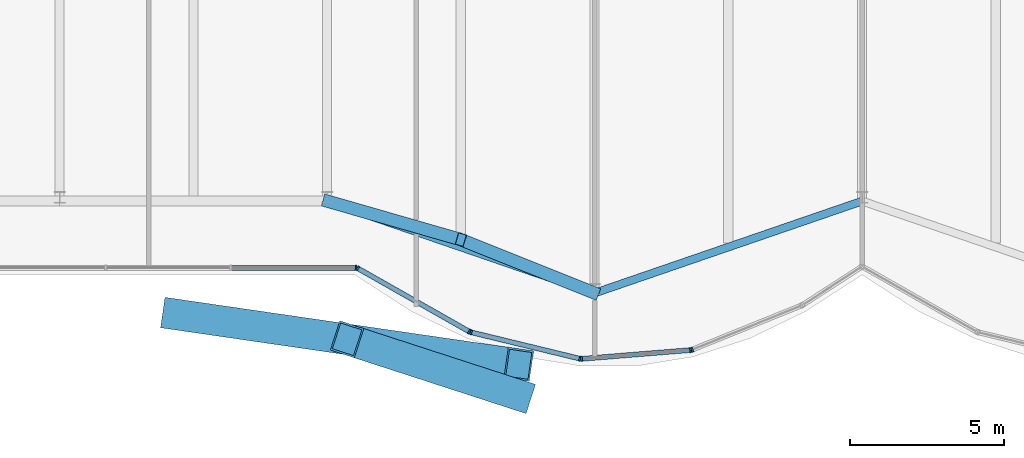
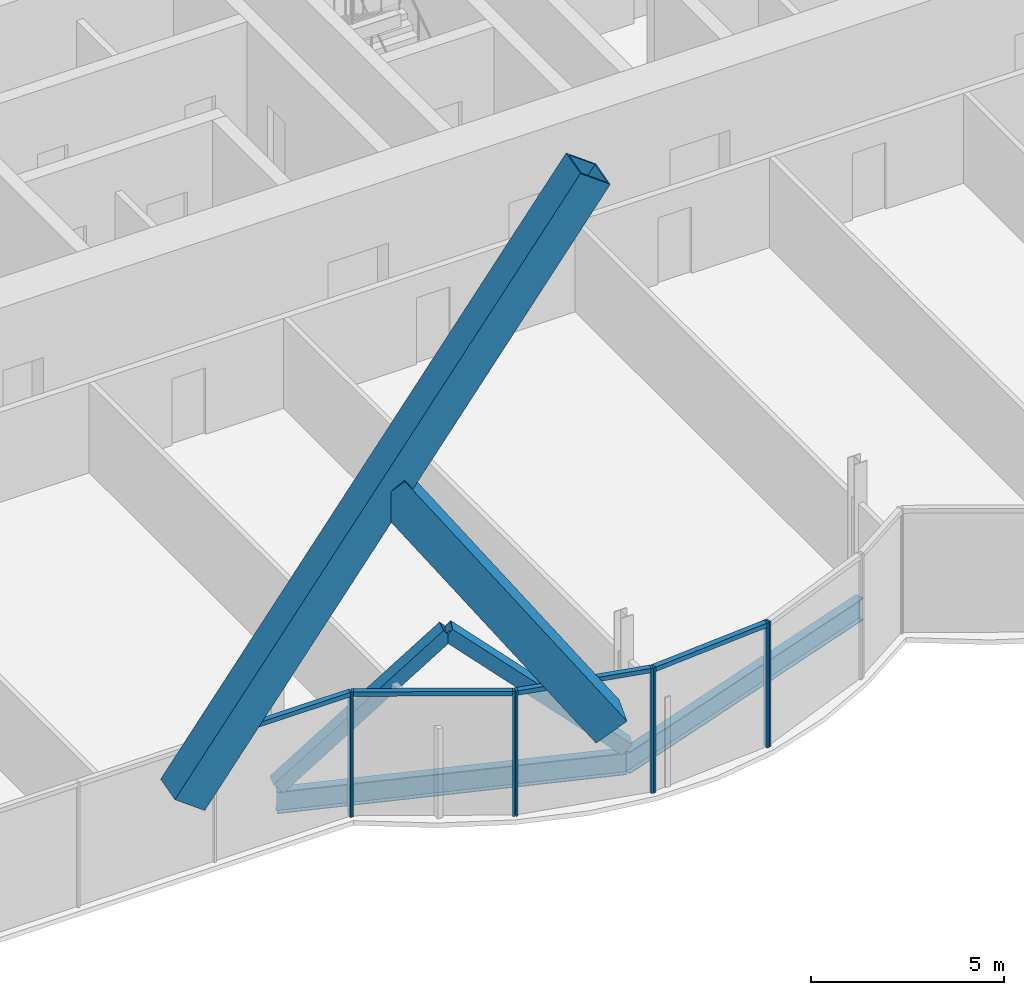
# One storey, part 6 of 22: 16 members, 2 beams, 2 elements without a shape of their own.
"""IFC4 building model written with IfcOpenShell, lengths in metres."""

import ifcopenshell
import ifcopenshell.guid

model = None  # the IFC model being written
_history = None  # IfcOwnerHistory: only IFC2X3 demands one
_inside = {}  # id of a spatial element -> (the spatial element, [elements in it])
_under = {}  # id of a project, library or spatial element -> (it, [spatial elements below it])
_declared = {}  # id of a project -> (the project, [libraries it declares])
_typed = {}  # id of a type object -> (the type object, [elements of that type])
_made_of = {}  # id of a material, layer set ... -> (it, [elements and type objects made of it])


def new_model(schema):
    """Start an empty IFC model of exactly this schema.

    Asked for "IFC4X3", IfcOpenShell would pick the latest addendum, in which some entities
    have other attributes; the version numbers below select the first issue.
    IFC2X3 requires an IfcOwnerHistory on every rooted entity: one is made here for all.
    """
    global model, _history
    if schema == "IFC4X3":
        model = ifcopenshell.file(schema_version=(4, 3, 0, 0))
    else:
        model = ifcopenshell.file(schema=schema)
    _inside.clear()
    _under.clear()
    _declared.clear()
    _typed.clear()
    _made_of.clear()
    _history = None
    if model.schema == "IFC2X3":
        org = make("IfcOrganization", Name="unknown")
        user = make(
            "IfcPersonAndOrganization",
            ThePerson=make("IfcPerson", FamilyName="unknown"),
            TheOrganization=org,
        )
        app = make(
            "IfcApplication",
            ApplicationDeveloper=org,
            Version="unknown",
            ApplicationFullName="unknown",
            ApplicationIdentifier="unknown",
        )
        _history = make(
            "IfcOwnerHistory",
            OwningUser=user,
            OwningApplication=app,
            ChangeAction="ADDED",
            CreationDate=0,
        )
    return model


def make(cls, **values):
    """One entity of the class cls with the attributes given. An attribute that is None is left unset."""
    return model.create_entity(
        cls, **{name: value for name, value in values.items() if value is not None}
    )


def rooted(cls, **values):
    """An entity with a GlobalId (a new one), such as an element, a storey or a relation."""
    return make(cls, GlobalId=ifcopenshell.guid.new(), OwnerHistory=_history, **values)


def si_unit(unit_type, name, prefix=None):
    """IfcSIUnit, for example si_unit("LENGTHUNIT", "METRE", prefix="MILLI")."""
    return make("IfcSIUnit", UnitType=unit_type, Prefix=prefix, Name=name)


def assignment(units):
    """IfcUnitAssignment: the units of a project."""
    return None if units is None else make("IfcUnitAssignment", Units=units)


def point(xyz):
    """IfcCartesianPoint."""
    return None if xyz is None else make("IfcCartesianPoint", Coordinates=xyz)


def direction(xyz):
    """IfcDirection."""
    return None if xyz is None else make("IfcDirection", DirectionRatios=xyz)


def frame(location, z_axis=None, x_axis=None):
    """IfcAxis2Placement3D, a coordinate frame: its origin and axes. An axis left out is left unset."""
    return make(
        "IfcAxis2Placement3D",
        Location=point(location),
        Axis=direction(z_axis),
        RefDirection=direction(x_axis),
    )


def frame_2d(location, x_axis=None):
    """IfcAxis2Placement2D, a coordinate frame in the plane: its origin and x axis."""
    return make(
        "IfcAxis2Placement2D", Location=point(location), RefDirection=direction(x_axis)
    )


def origin():
    """The frame at (0, 0, 0) with its axes left unset."""
    return frame((0.0, 0.0, 0.0))


def origin_2d():
    """The frame at (0, 0) in the plane with its x axis left unset."""
    return frame_2d((0.0, 0.0))


def place(relative_to, where):
    """IfcLocalPlacement: puts the frame where relative to a parent placement (None: the world)."""
    return make(
        "IfcLocalPlacement", PlacementRelTo=relative_to, RelativePlacement=where
    )


def context(
    kind, dimensions, precision=None, world=None, true_north=None, identifier=None
):
    """IfcGeometricRepresentationContext, for example the 3D "Model" context."""
    return make(
        "IfcGeometricRepresentationContext",
        ContextIdentifier=identifier,
        ContextType=kind,
        CoordinateSpaceDimension=dimensions,
        Precision=precision,
        WorldCoordinateSystem=world,
        TrueNorth=true_north,
    )


def subcontext(parent, identifier, kind, view, scale=None):
    """IfcGeometricRepresentationSubContext, for example "Body" below "Model"."""
    return make(
        "IfcGeometricRepresentationSubContext",
        ContextIdentifier=identifier,
        ContextType=kind,
        ParentContext=parent,
        TargetScale=scale,
        TargetView=view,
    )


def project(units=None, contexts=None):
    """IfcProject with its units and contexts."""
    return rooted(
        "IfcProject",
        Name="project",
        RepresentationContexts=contexts,
        UnitsInContext=assignment(units),
    )


def spatial(cls, under=None, at=None, **own):
    """A site, building, storey or space (cls), placed at a placement, below another one or the project."""
    s = rooted(cls, ObjectPlacement=at, **own)
    if under is not None:
        _under.setdefault(under.id(), (under, []))[1].append(s)
    return s


def profile(cls, at=None, kind="AREA", **sizes):
    """A parametric profile (cls). Its sizes go by their IFC names, for example OverallWidth=200.0."""
    return make(cls, ProfileType=kind, Position=at, **sizes)


def rectangle(**sizes):
    """IfcRectangleProfileDef."""
    return profile("IfcRectangleProfileDef", **sizes)


def hollow_rectangle(**sizes):
    """IfcRectangleHollowProfileDef."""
    return profile("IfcRectangleHollowProfileDef", **sizes)


def i_section(**sizes):
    """IfcIShapeProfileDef."""
    return profile("IfcIShapeProfileDef", **sizes)


def extrude(swept, where, along, depth):
    """IfcExtrudedAreaSolid: the profile swept, set in the frame where, extruded along a direction by depth."""
    return make(
        "IfcExtrudedAreaSolid",
        SweptArea=swept,
        Position=where,
        ExtrudedDirection=direction(along),
        Depth=depth,
    )


def shape(context_of_items, identifier, shape_type, items):
    """IfcShapeRepresentation: the items that make up one representation, for example the "Body"."""
    return make(
        "IfcShapeRepresentation",
        ContextOfItems=context_of_items,
        RepresentationIdentifier=identifier,
        RepresentationType=shape_type,
        Items=items,
    )


def material(Name=None, Category=None):
    """IfcMaterial."""
    return make("IfcMaterial", Name=Name, Category=Category)


def material_profile(
    of_material, cross_section, Name=None, Category=None, Priority=None
):
    """IfcMaterialProfile: a cross section and its material."""
    return make(
        "IfcMaterialProfile",
        Name=Name,
        Material=of_material,
        Profile=cross_section,
        Priority=Priority,
        Category=Category,
    )


def profile_set(profiles, Name=None, composite=None):
    """IfcMaterialProfileSet."""
    return make(
        "IfcMaterialProfileSet",
        Name=Name,
        MaterialProfiles=profiles,
        CompositeProfile=composite,
    )


def made_of(thing, what):
    """Note that an element or type object is made of a material, layer set ...; save() writes the relation."""
    if what is not None:
        _made_of.setdefault(what.id(), (what, []))[1].append(thing)
    return thing


def type_object(cls, material=None, **own):
    """A type object (cls), such as IfcWallType, which elements share."""
    return made_of(rooted(cls, **own), material)


def element(
    cls,
    number,
    at=None,
    inside=None,
    cuts=None,
    type_object=None,
    material=None,
    context=None,
    identifier="Body",
    shape_type=None,
    held_by="IfcProductDefinitionShape",
    body=None,
    shapes=None,
    **own,
):
    """One element of the class cls, such as IfcWall. Its Tag is "e" and its number.

    at: its placement. inside: the storey or other place that contains it. cuts: it is an
    opening in that element (IfcRelVoidsElement). A single representation is given by context,
    identifier, shape_type and body (its items); several are given by shapes. held_by: the class
    of the entity that holds the representations. save() writes the other relations.
    """
    e = rooted(cls, Tag="e%d" % number, ObjectPlacement=at, **own)
    if body is not None:
        shapes = [shape(context, identifier, shape_type, body)]
    if shapes is not None:
        e.Representation = make(held_by, Representations=shapes)
    if inside is not None:
        _inside.setdefault(inside.id(), (inside, []))[1].append(e)
    if cuts is not None:
        rooted(
            "IfcRelVoidsElement", RelatingBuildingElement=cuts, RelatedOpeningElement=e
        )
    if type_object is not None:
        _typed.setdefault(type_object.id(), (type_object, []))[1].append(e)
    return made_of(e, material)


def aggregate(whole, parts):
    """IfcRelAggregates: a whole, such as a stair, and the parts it consists of."""
    return rooted("IfcRelAggregates", RelatingObject=whole, RelatedObjects=parts)


def save(model, path):
    """Write the relations noted so far, then the file.

    IfcRelAggregates (storeys below a building ...), IfcRelContainedInSpatialStructure (elements
    in a storey), IfcRelDefinesByType, IfcRelAssociatesMaterial and IfcRelDeclares: one each for
    every whole, place, type object, material and project.
    """
    for whole, parts in _under.values():
        aggregate(whole, parts)
    for where, things in _inside.values():
        rooted(
            "IfcRelContainedInSpatialStructure",
            RelatedElements=things,
            RelatingStructure=where,
        )
    for kind, things in _typed.values():
        rooted("IfcRelDefinesByType", RelatedObjects=things, RelatingType=kind)
    for what, things in _made_of.values():
        rooted("IfcRelAssociatesMaterial", RelatedObjects=things, RelatingMaterial=what)
    for by, libraries in _declared.values():
        rooted("IfcRelDeclares", RelatingContext=by, RelatedDefinitions=libraries)
    model.write(path)


model = new_model("IFC4")

# Units and contexts
model_context = context("Model", 3, precision=1e-05, world=origin(), true_north=direction((0.0, 1.0)))
body_context = subcontext(model_context, "Body", "Model", "MODEL_VIEW")
ifc_project = project(units=[si_unit("LENGTHUNIT", "METRE"), si_unit("AREAUNIT", "SQUARE_METRE"), si_unit("VOLUMEUNIT", "CUBIC_METRE"), si_unit("PLANEANGLEUNIT", "RADIAN"), si_unit("MASSUNIT", "GRAM", prefix="KILO")], contexts=[model_context])

# Site, building, storey
site_placement = place(None, origin())
site = spatial("IfcSite", under=ifc_project, at=site_placement, CompositionType="ELEMENT")
building_placement = place(site_placement, origin())
building = spatial("IfcBuilding", under=site, at=building_placement, Name="Bicima Exchange Tower", CompositionType="ELEMENT")
storey_placement = place(building_placement, frame((0.0, 0.0, 203.199951171875)))
storey = spatial("IfcBuildingStorey", under=building, at=storey_placement, Name="L45", CompositionType="ELEMENT", Elevation=203.199951171875)

# Members
ifc_material_1 = material(Name="Steel ASTM A572 Gr 50", Category="steel")
ifc_material_profile_1 = material_profile(ifc_material_1, hollow_rectangle(XDim=1.0, YDim=1.0, WallThickness=0.06005859375, at=origin_2d()))
ifc_profile_set_1 = profile_set([ifc_material_profile_1], Name="Steel ASTM A572 Gr 50")
member_type_1 = type_object("IfcMemberType", Name="Exo mega brace BOX 1000x1000x60", PredefinedType="BRACE", material=ifc_profile_set_1)
member_1_placement = place(storey_placement, frame((-22.333251953125, -33.767822265625, 3.63330078125), z_axis=(0.551009199792, -0.080101013805, 0.830645947039), x_axis=(0.143859330984, 0.989598147173, 0.0)))
element("IfcMember", 1, at=member_1_placement, inside=storey, type_object=member_type_1, Name="Exo mega brace front", PredefinedType="BRACE", context=body_context, shape_type="SweptSolid", body=[
    extrude(hollow_rectangle(XDim=1.0, YDim=1.0, WallThickness=0.06005859375, at=origin_2d()), origin(), (0.0, 0.0, 1.0), 20.265625),
])
member_2_placement = place(storey_placement, frame((-11.166748046875, -36.392822265625, 3.63330078125), z_axis=(-0.54408500506, 0.176722349801, 0.820207728779), x_axis=(-0.308919619435, -0.95108814982, 0.0)))
element("IfcMember", 2, at=member_2_placement, inside=storey, type_object=member_type_1, Name="Exo mega brace front", PredefinedType="BRACE", context=body_context, shape_type="SweptSolid", body=[
    extrude(hollow_rectangle(XDim=1.0, YDim=1.0, WallThickness=0.06005859375, at=origin_2d()), origin(), (0.0, 0.0, 1.0), 10.26171875),
])

# Beams
ifc_material_2 = material(Name="Steel ASTM A992 Gr 50", Category="steel")
ifc_material_profile_2 = material_profile(ifc_material_2, i_section(OverallWidth=0.256591796875, OverallDepth=0.693359375, WebThickness=0.014404296875, FlangeThickness=0.023681640625, at=origin_2d()))
ifc_profile_set_2 = profile_set([ifc_material_profile_2], Name="Steel ASTM A992 Gr 50")
beam_type = type_object("IfcBeamType", Name="Front girder W27x114", PredefinedType="BEAM", material=ifc_profile_set_2)
for number, where, z_axis, x_axis, name in (
    (3, (-17.39990234375, -30.083984375, -0.49658203125), (0.945666456746, -0.325138359143, 0.0), (0.325138359143, 0.945666456746, 0.0), "Front girder"),
    (4, (-8.699951171875, -33.0751953125, -0.49658203125), (0.945666456746, 0.325138359143, 0.0), (-0.325138359143, 0.945666456746, 0.0), "Front girder"),
):
    element("IfcBeam", number, at=place(storey_placement, frame(where, z_axis=z_axis, x_axis=x_axis)), inside=storey, type_object=beam_type, Name=name, PredefinedType="BEAM", context=body_context, shape_type="SweptSolid", body=[
        extrude(i_section(OverallWidth=0.256591796875, OverallDepth=0.693359375, WebThickness=0.014404296875, FlangeThickness=0.023681640625, at=origin_2d()), origin(), (0.0, 0.0, 1.0), 9.19970703125),
    ])

# Curtain wall, member
ifc_material_3 = material(Name="Anodised bronze aluminium", Category="aluminium")
curtain_wall_type = type_object("IfcCurtainWallType", Name="Front glass wall", PredefinedType="NOTDEFINED", material=ifc_material_3)
curtain_wall_1_placement = place(storey_placement, origin())
curtain_wall_1 = element("IfcCurtainWall", 5, at=curtain_wall_1_placement, inside=storey, type_object=curtain_wall_type, Name="Front glass wall L45 run 5", PredefinedType="NOTDEFINED")
ifc_material_profile_3 = material_profile(ifc_material_3, rectangle(XDim=0.159912109375, YDim=0.06005859375, at=origin_2d()))
ifc_profile_set_3 = profile_set([ifc_material_profile_3], Name="Anodised bronze aluminium")
member_type_2 = type_object("IfcMemberType", Name="Front glass wall mullion 60 x 160", PredefinedType="MULLION", material=ifc_profile_set_3)
member_3_placement = place(storey_placement, frame((-16.462158203125, -32.25390625, 0.0), z_axis=(0.0, 0.0, 1.0), x_axis=(0.0, 1.0, 0.0)))
member_3 = element("IfcMember", 6, at=member_3_placement, type_object=member_type_2, Name="Front glass wall mullion 5", PredefinedType="MULLION", context=body_context, shape_type="SweptSolid", body=[
    extrude(rectangle(XDim=0.159912109375, YDim=0.06005859375, at=origin_2d()), origin(), (0.0, 0.0, 1.0), 3.949951171875),
])

# Curtain wall, members
curtain_wall_2_placement = place(storey_placement, origin())
curtain_wall_2 = element("IfcCurtainWall", 7, at=curtain_wall_2_placement, inside=storey, type_object=curtain_wall_type, Name="Front glass wall L45 run 6", PredefinedType="NOTDEFINED")
member_4_placement = place(storey_placement, frame((-16.406005859375, -32.268798828125, 0.0), z_axis=(0.0, 0.0, 1.0), x_axis=(0.493395449343, 0.869805110681, 0.0)))
member_4 = element("IfcMember", 8, at=member_4_placement, type_object=member_type_2, Name="Front glass wall mullion 1", PredefinedType="MULLION", context=body_context, shape_type="SweptSolid", body=[
    extrude(rectangle(XDim=0.159912109375, YDim=0.06005859375, at=origin_2d()), origin(), (0.0, 0.0, 1.0), 3.949951171875),
])
member_5_placement = place(storey_placement, frame((-12.7734375, -34.329345703125, 0.0), z_axis=(0.0, 0.0, 1.0), x_axis=(0.493395449343, 0.869805110681, 0.0)))
member_5 = element("IfcMember", 9, at=member_5_placement, type_object=member_type_2, Name="Front glass wall mullion 2", PredefinedType="MULLION", context=body_context, shape_type="SweptSolid", body=[
    extrude(rectangle(XDim=0.159912109375, YDim=0.06005859375, at=origin_2d()), origin(), (0.0, 0.0, 1.0), 3.949951171875),
])
member_6_placement = place(storey_placement, frame((-12.718017578125, -34.351318359375, 0.0), z_axis=(0.0, 0.0, 1.0), x_axis=(0.235681529503, 0.971830343553, 0.0)))
member_6 = element("IfcMember", 10, at=member_6_placement, type_object=member_type_2, Name="Front glass wall mullion 1", PredefinedType="MULLION", context=body_context, shape_type="SweptSolid", body=[
    extrude(rectangle(XDim=0.159912109375, YDim=0.06005859375, at=origin_2d()), origin(), (0.0, 0.0, 1.0), 3.949951171875),
])
member_7_placement = place(storey_placement, frame((-9.177490234375, -35.2099609375, 0.0), z_axis=(0.0, 0.0, 1.0), x_axis=(0.235681529503, 0.971830343553, 0.0)))
member_7 = element("IfcMember", 11, at=member_7_placement, type_object=member_type_2, Name="Front glass wall mullion 2", PredefinedType="MULLION", context=body_context, shape_type="SweptSolid", body=[
    extrude(rectangle(XDim=0.159912109375, YDim=0.06005859375, at=origin_2d()), origin(), (0.0, 0.0, 1.0), 3.949951171875),
])
member_8_placement = place(storey_placement, frame((-9.118408203125, -35.214599609375, 0.0), z_axis=(0.0, 0.0, 1.0), x_axis=(-0.080588612633, 0.99674744821, 0.0)))
member_8 = element("IfcMember", 12, at=member_8_placement, type_object=member_type_2, Name="Front glass wall mullion 1", PredefinedType="MULLION", context=body_context, shape_type="SweptSolid", body=[
    extrude(rectangle(XDim=0.159912109375, YDim=0.06005859375, at=origin_2d()), origin(), (0.0, 0.0, 1.0), 3.949951171875),
])
member_9_placement = place(storey_placement, frame((-5.583984375, -34.9287109375, 0.0), z_axis=(0.0, 0.0, 1.0), x_axis=(-0.080588612633, 0.99674744821, 0.0)))
member_9 = element("IfcMember", 13, at=member_9_placement, type_object=member_type_2, Name="Front glass wall mullion 2", PredefinedType="MULLION", context=body_context, shape_type="SweptSolid", body=[
    extrude(rectangle(XDim=0.159912109375, YDim=0.06005859375, at=origin_2d()), origin(), (0.0, 0.0, 1.0), 3.949951171875),
])
member_10_placement = place(storey_placement, frame((-5.526123046875, -34.915283203125, 0.0), z_axis=(0.0, 0.0, 1.0), x_axis=(-0.374705304, 0.92714396679, 0.0)))
member_10 = element("IfcMember", 14, at=member_10_placement, type_object=member_type_2, Name="Front glass wall mullion 1", PredefinedType="MULLION", context=body_context, shape_type="SweptSolid", body=[
    extrude(rectangle(XDim=0.159912109375, YDim=0.06005859375, at=origin_2d()), origin(), (0.0, 0.0, 1.0), 3.949951171875),
])

# Member
ifc_material_profile_4 = material_profile(ifc_material_3, rectangle(XDim=0.159912109375, YDim=0.139892578125, at=origin_2d()))
ifc_profile_set_4 = profile_set([ifc_material_profile_4], Name="Anodised bronze aluminium")
member_type_3 = type_object("IfcMemberType", Name="Front glass wall transom 140 x 160", PredefinedType="USERDEFINED", material=ifc_profile_set_4)
member_11_placement = place(storey_placement, frame((-20.501708984375, -32.25390625, 3.880126953125), z_axis=(1.0, 0.0, 0.0), x_axis=(0.0, 1.0, 0.0)))
member_11 = element("IfcMember", 15, at=member_11_placement, type_object=member_type_3, Name="Front glass wall transom 4.1", ObjectType="TRANSOM", PredefinedType="USERDEFINED", context=body_context, shape_type="SweptSolid", body=[
    extrude(rectangle(XDim=0.159912109375, YDim=0.139892578125, at=origin_2d()), origin(), (0.0, 0.0, 1.0), 4.009521484375),
])

aggregate(curtain_wall_1, [member_3, member_11])

member_12_placement = place(storey_placement, frame((-16.3798828125, -32.28369140625, 3.880126953125), z_axis=(0.869797371721, -0.49340909208, 0.0), x_axis=(0.49340909208, 0.869797371721, 0.0)))
member_12 = element("IfcMember", 16, at=member_12_placement, type_object=member_type_3, Name="Front glass wall transom 1.1", ObjectType="TRANSOM", PredefinedType="USERDEFINED", context=body_context, shape_type="SweptSolid", body=[
    extrude(rectangle(XDim=0.159912109375, YDim=0.139892578125, at=origin_2d()), origin(), (0.0, 0.0, 1.0), 4.1162109375),
])

member_13_placement = place(storey_placement, frame((-12.68896484375, -34.3583984375, 3.880126953125), z_axis=(0.971833557815, -0.235668275132, 0.0), x_axis=(0.235668275132, 0.971833557815, 0.0)))
member_13 = element("IfcMember", 17, at=member_13_placement, type_object=member_type_3, Name="Front glass wall transom 1.1", ObjectType="TRANSOM", PredefinedType="USERDEFINED", context=body_context, shape_type="SweptSolid", body=[
    extrude(rectangle(XDim=0.159912109375, YDim=0.139892578125, at=origin_2d()), origin(), (0.0, 0.0, 1.0), 3.583251953125),
])

member_14_placement = place(storey_placement, frame((-9.08837890625, -35.212158203125, 3.880126953125), z_axis=(0.9967456465, 0.080610893699, 0.0), x_axis=(-0.080610893699, 0.9967456465, 0.0)))
member_14 = element("IfcMember", 18, at=member_14_placement, type_object=member_type_3, Name="Front glass wall transom 1.1", ObjectType="TRANSOM", PredefinedType="USERDEFINED", context=body_context, shape_type="SweptSolid", body=[
    extrude(rectangle(XDim=0.159912109375, YDim=0.139892578125, at=origin_2d()), origin(), (0.0, 0.0, 1.0), 3.48583984375),
])

aggregate(curtain_wall_2, [member_4, member_5, member_12, member_6, member_7, member_13, member_8, member_9, member_14, member_10])

# Members
ifc_material_profile_5 = material_profile(ifc_material_1, hollow_rectangle(XDim=0.406494140625, YDim=0.406494140625, WallThickness=0.0146484375, at=origin_2d()))
ifc_profile_set_5 = profile_set([ifc_material_profile_5], Name="Steel ASTM A572 Gr 50")
member_type_4 = type_object("IfcMemberType", Name="Mega brace HSS16x16x5/8", PredefinedType="BRACE", material=ifc_profile_set_5)
member_15_placement = place(storey_placement, frame((-17.39990234375, -30.083984375, 0.0), z_axis=(0.71224719859, -0.204915481842, 0.671352048781), x_axis=(0.27648739579, 0.961017544049, 0.0)))
element("IfcMember", 19, at=member_15_placement, inside=storey, type_object=member_type_4, Name="Mega brace front", PredefinedType="BRACE", context=body_context, shape_type="SweptSolid", body=[
    extrude(hollow_rectangle(XDim=0.406494140625, YDim=0.406494140625, WallThickness=0.0146484375, at=origin_2d()), origin(), (0.0, 0.0, 1.0), 6.107177734375),
])
member_16_placement = place(storey_placement, frame((-8.699951171875, -33.0751953125, 0.0), z_axis=(-0.698718538106, 0.279440358208, 0.65856320176), x_axis=(-0.3713367687, -0.928498252132, 0.0)))
element("IfcMember", 20, at=member_16_placement, inside=storey, type_object=member_type_4, Name="Mega brace front", PredefinedType="BRACE", context=body_context, shape_type="SweptSolid", body=[
    extrude(hollow_rectangle(XDim=0.406494140625, YDim=0.406494140625, WallThickness=0.0146484375, at=origin_2d()), origin(), (0.0, 0.0, 1.0), 6.225830078125),
])

save(model, "model.ifc")
